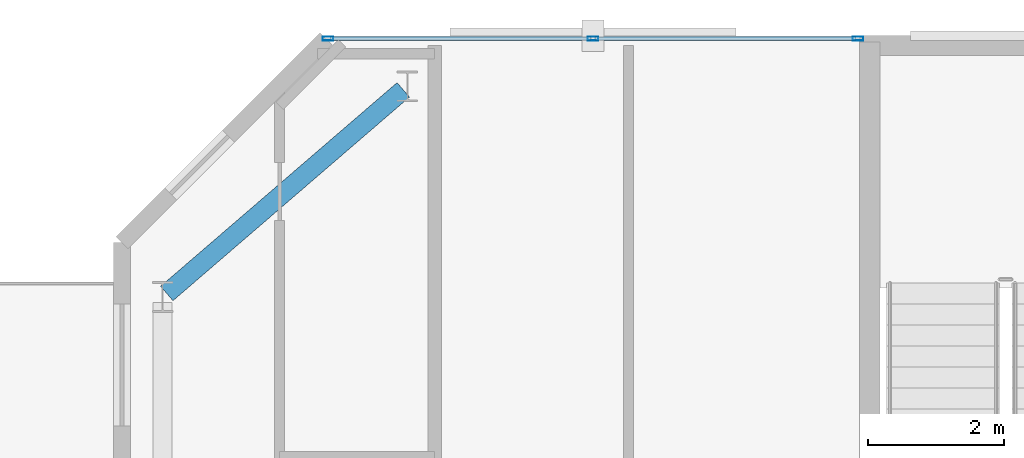
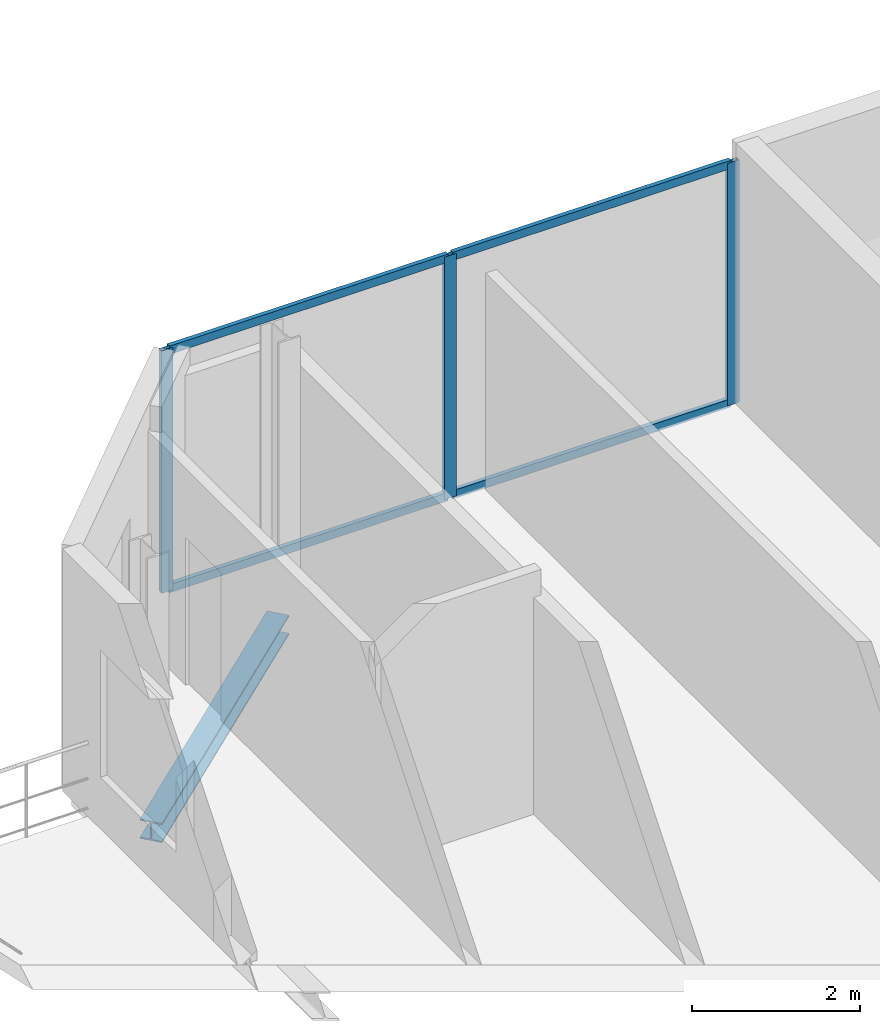
# One storey, part 16 of 23: 7 members, 1 beam, 1 element without a shape of its own.
"""IFC4 building model written with IfcOpenShell, lengths in metres."""

from ifc_helpers import new_model, si_unit, direction, frame, origin, origin_2d, place, context, subcontext, project, spatial, hollow_rectangle, i_section, extrude, material, layer, layer_set, material_profile, profile_set, type_object, element, aggregate, save


model = new_model("IFC4")

# Units and contexts
model_context = context("Model", 3, precision=1e-05, world=origin(), true_north=direction((0.0, 1.0)))
body_context = subcontext(model_context, "Body", "Model", "MODEL_VIEW")
ifc_project = project(units=[si_unit("LENGTHUNIT", "METRE"), si_unit("AREAUNIT", "SQUARE_METRE"), si_unit("VOLUMEUNIT", "CUBIC_METRE"), si_unit("PLANEANGLEUNIT", "RADIAN"), si_unit("MASSUNIT", "GRAM", prefix="KILO")], contexts=[model_context])

# Site, building, storey
site_placement = place(None, origin())
site = spatial("IfcSite", under=ifc_project, at=site_placement, CompositionType="ELEMENT")
building_placement = place(site_placement, origin())
building = spatial("IfcBuilding", under=site, at=building_placement, Name="Catumbela Crestline Tower", CompositionType="ELEMENT")
storey_placement = place(building_placement, frame((0.0, 0.0, 241.2)))
storey = spatial("IfcBuildingStorey", under=building, at=storey_placement, Name="L62", CompositionType="ELEMENT", Elevation=241.2)

# Curtain wall, members
ifc_material_1 = material(Name="Aluminium alloy AW-6060-T66", Category="aluminium")
ifc_layer = layer(ifc_material_1, 0.18, Name="Aluminium alloy AW-6060-T66")
ifc_layer_set = layer_set([ifc_layer], Name="Aluminium alloy AW-6060-T66")
curtain_wall_type = type_object("IfcCurtainWallType", Name="CWU-Z4", PredefinedType="USERDEFINED", material=ifc_layer_set)
curtain_wall_placement = place(storey_placement, origin())
curtain_wall = element("IfcCurtainWall", 1, at=curtain_wall_placement, inside=storey, type_object=curtain_wall_type, Name="L62 Unitised Curtain Wall CW-L62-E7S2", ObjectType="UNITISED", PredefinedType="USERDEFINED")
ifc_material_profile_1 = material_profile(ifc_material_1, hollow_rectangle(XDim=0.06, YDim=0.16, WallThickness=0.004, at=origin_2d()), Name="ALU 160x60x4")
ifc_profile_set_1 = profile_set([ifc_material_profile_1], Name="Aluminium alloy AW-6060-T66")
member_type_1 = type_object("IfcMemberType", Name="MUL-160X60", PredefinedType="MULLION", material=ifc_profile_set_1)
member_1_placement = place(storey_placement, frame((15.8275, 43.0, 0.0), z_axis=(0.0, 0.0, 1.0), x_axis=(0.0, -1.0, 0.0)))
member_1 = element("IfcMember", 2, at=member_1_placement, type_object=member_type_1, Name="CWU-Z4 mullion 1", PredefinedType="MULLION", context=body_context, shape_type="SweptSolid", body=[
    extrude(hollow_rectangle(XDim=0.06, YDim=0.16, WallThickness=0.004, at=origin_2d()), origin(), (0.0, 0.0, 1.0), 3.53),
])
member_2_placement = place(storey_placement, frame((11.93, 43.0, 0.0), z_axis=(0.0, 0.0, 1.0), x_axis=(0.0, -1.0, 0.0)))
member_2 = element("IfcMember", 3, at=member_2_placement, type_object=member_type_1, Name="CWU-Z4 mullion 2", PredefinedType="MULLION", context=body_context, shape_type="SweptSolid", body=[
    extrude(hollow_rectangle(XDim=0.06, YDim=0.16, WallThickness=0.004, at=origin_2d()), origin(), (0.0, 0.0, 1.0), 3.53),
])
member_3_placement = place(storey_placement, frame((8.0325, 43.0, 0.0), z_axis=(0.0, 0.0, 1.0), x_axis=(0.0, -1.0, 0.0)))
member_3 = element("IfcMember", 4, at=member_3_placement, type_object=member_type_1, Name="CWU-Z4 mullion 3", PredefinedType="MULLION", context=body_context, shape_type="SweptSolid", body=[
    extrude(hollow_rectangle(XDim=0.06, YDim=0.16, WallThickness=0.004, at=origin_2d()), origin(), (0.0, 0.0, 1.0), 3.53),
])

# Beam
ifc_material_2 = material(Name="Structural steel S355J2", Category="steel")
ifc_material_profile_2 = material_profile(ifc_material_2, i_section(OverallWidth=0.28, OverallDepth=0.28, WebThickness=0.0105, FlangeThickness=0.018, FilletRadius=0.024, at=origin_2d()), Name="HEB 280")
ifc_profile_set_2 = profile_set([ifc_material_profile_2], Name="Structural steel S355J2")
beam_type = type_object("IfcBeamType", Name="BS-HEB280", PredefinedType="SPANDREL", material=ifc_profile_set_2)
beam_placement = place(storey_placement, frame((5.6606, 39.2522, -0.4), z_axis=(0.757772392559, 0.652518966066, 0.0), x_axis=(-0.652518966066, 0.757772392559, 0.0)))
element("IfcBeam", 5, at=beam_placement, inside=storey, type_object=beam_type, Name="L62 Spandrel SP-L62-N09", PredefinedType="SPANDREL", context=body_context, shape_type="SweptSolid", body=[
    extrude(i_section(OverallWidth=0.28, OverallDepth=0.28, WebThickness=0.0105, FlangeThickness=0.018, FilletRadius=0.024, at=origin_2d()), origin(), (0.0, 0.0, 1.0), 4.5908),
])

# Member
ifc_material_profile_3 = material_profile(ifc_material_1, hollow_rectangle(XDim=0.06, YDim=0.12, WallThickness=0.0035, at=origin_2d()), Name="ALU 120x60x3.5")
ifc_profile_set_3 = profile_set([ifc_material_profile_3], Name="Aluminium alloy AW-6060-T66")
member_type_2 = type_object("IfcMemberType", Name="TRN-120X60", PredefinedType="USERDEFINED", material=ifc_profile_set_3)
member_4_placement = place(storey_placement, frame((15.795, 43.0, 0.03), z_axis=(-1.0, 0.0, 0.0), x_axis=(0.0, -1.0, 0.0)))
member_4 = element("IfcMember", 6, at=member_4_placement, type_object=member_type_2, Name="CWU-Z4 transom 1.1", ObjectType="TRANSOM", PredefinedType="USERDEFINED", context=body_context, shape_type="SweptSolid", body=[
    extrude(hollow_rectangle(XDim=0.06, YDim=0.12, WallThickness=0.0035, at=origin_2d()), origin(), (0.0, 0.0, 1.0), 3.8325),
])

member_5_placement = place(storey_placement, frame((15.795, 43.0, 3.5), z_axis=(-1.0, 0.0, 0.0), x_axis=(0.0, -1.0, 0.0)))
member_5 = element("IfcMember", 7, at=member_5_placement, type_object=member_type_2, Name="CWU-Z4 transom 1.2", ObjectType="TRANSOM", PredefinedType="USERDEFINED", context=body_context, shape_type="SweptSolid", body=[
    extrude(hollow_rectangle(XDim=0.06, YDim=0.12, WallThickness=0.0035, at=origin_2d()), origin(), (0.0, 0.0, 1.0), 3.8325),
])

member_6_placement = place(storey_placement, frame((11.8975, 43.0, 0.03), z_axis=(-1.0, 0.0, 0.0), x_axis=(0.0, -1.0, 0.0)))
member_6 = element("IfcMember", 8, at=member_6_placement, type_object=member_type_2, Name="CWU-Z4 transom 2.1", ObjectType="TRANSOM", PredefinedType="USERDEFINED", context=body_context, shape_type="SweptSolid", body=[
    extrude(hollow_rectangle(XDim=0.06, YDim=0.12, WallThickness=0.0035, at=origin_2d()), origin(), (0.0, 0.0, 1.0), 3.8325),
])

member_7_placement = place(storey_placement, frame((11.8975, 43.0, 3.5), z_axis=(-1.0, 0.0, 0.0), x_axis=(0.0, -1.0, 0.0)))
member_7 = element("IfcMember", 9, at=member_7_placement, type_object=member_type_2, Name="CWU-Z4 transom 2.2", ObjectType="TRANSOM", PredefinedType="USERDEFINED", context=body_context, shape_type="SweptSolid", body=[
    extrude(hollow_rectangle(XDim=0.06, YDim=0.12, WallThickness=0.0035, at=origin_2d()), origin(), (0.0, 0.0, 1.0), 3.8325),
])

aggregate(curtain_wall, [member_1, member_2, member_3, member_4, member_5, member_6, member_7])

save(model, "model.ifc")
